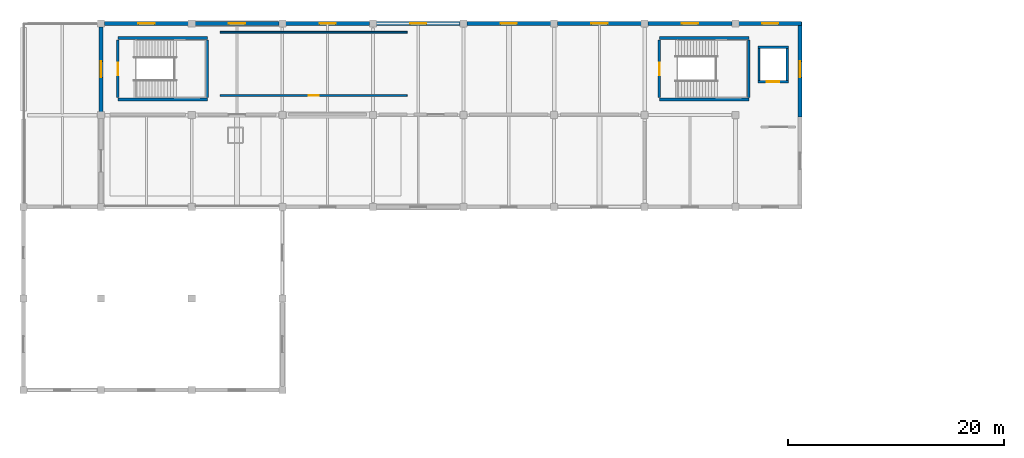
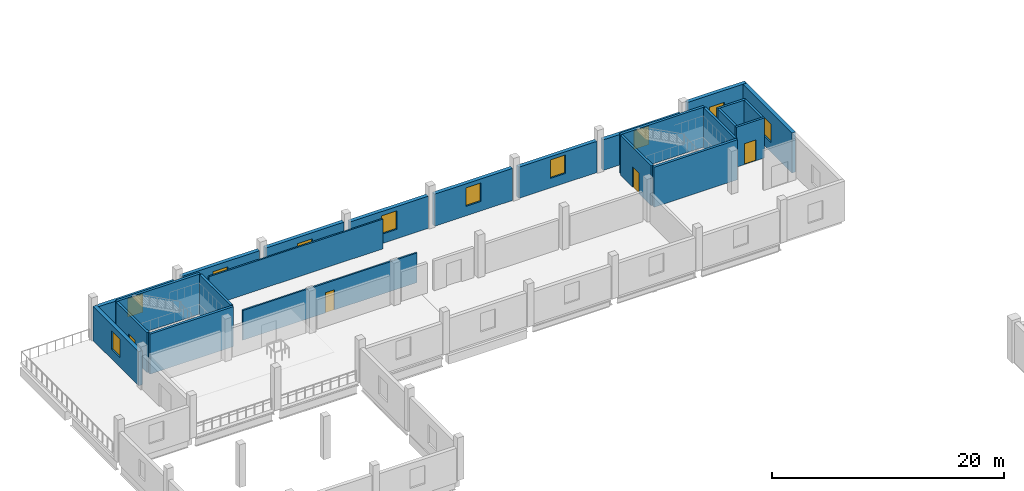
# One storey, part 42 of 50: 24 walls, 10 windows, 4 doors, 14 openings.
"""IFC4 building model written with IfcOpenShell, lengths in metres."""

from ifc_helpers import new_model, si_unit, direction, frame, frame_2d, origin, place, context, subcontext, project, spatial, rectangle, extrude, material, layer, layer_set, type_object, element, fill, save


model = new_model("IFC4")

# Units and contexts
model_context = context("Model", 3, precision=1e-05, world=origin(), true_north=direction((0.0, 1.0)))
body_context = subcontext(model_context, "Body", "Model", "MODEL_VIEW")
ifc_project = project(units=[si_unit("LENGTHUNIT", "METRE"), si_unit("AREAUNIT", "SQUARE_METRE"), si_unit("VOLUMEUNIT", "CUBIC_METRE"), si_unit("PLANEANGLEUNIT", "RADIAN"), si_unit("MASSUNIT", "GRAM", prefix="KILO")], contexts=[model_context])

# Site, building, storey
site_placement = place(None, origin())
site = spatial("IfcSite", under=ifc_project, at=site_placement, CompositionType="ELEMENT")
building_placement = place(site_placement, origin())
building = spatial("IfcBuilding", under=site, at=building_placement, Name="Solvento Point Concert Hall", CompositionType="ELEMENT")
storey_placement = place(building_placement, frame((0.0, 0.0, 15.0)))
storey = spatial("IfcBuildingStorey", under=building, at=storey_placement, Name="L03", CompositionType="ELEMENT", Elevation=15.0)

# Wall
ifc_material_1 = material(Name="Acoustic Double-Stud Gypsum Partition")
ifc_layer_1 = layer(ifc_material_1, 0.159912109375)
ifc_layer_set_1 = layer_set([ifc_layer_1], Name="Acoustic Double-Stud Gypsum Partition")
wall_type_1 = type_object("IfcWallType", Name="AcousticPartition_160", PredefinedType="PARTITIONING", material=ifc_layer_set_1)
wall_1_placement = place(storey_placement, frame((18.219970703125, 135.179931640625, 0.0), z_axis=(0.0, 0.0, 1.0), x_axis=(1.0, 0.0, 0.0)))
element("IfcWall", 1, at=wall_1_placement, inside=storey, type_object=wall_type_1, Name="Interior acoustic partition PW-97 L03", PredefinedType="PARTITIONING", context=body_context, shape_type="SweptSolid", body=[
    extrude(rectangle(XDim=17.360107421875, YDim=0.159912109375, at=frame_2d((8.68017578125, 0.0))), origin(), (0.0, 0.0, 1.0), 3.1298828125),
])

# Wall, opening, door
wall_2_placement = place(storey_placement, frame((35.580078125, 129.320068359375, 0.0), z_axis=(0.0, 0.0, 1.0), x_axis=(-1.0, 0.0, 0.0)))
wall_2 = element("IfcWall", 2, at=wall_2_placement, inside=storey, type_object=wall_type_1, Name="Interior acoustic partition PW-97 L03", PredefinedType="PARTITIONING", context=body_context, shape_type="SweptSolid", body=[
    extrude(rectangle(XDim=17.360107421875, YDim=0.159912109375, at=frame_2d((8.68017578125, 0.0))), origin(), (0.0, 0.0, 1.0), 3.1298828125),
])
opening_1_placement = place(wall_2_placement, frame((8.219970703125, 0.0, 0.0)))
opening_1 = element("IfcOpeningElement", 3, at=opening_1_placement, cuts=wall_2, Name="Opening DR-46", PredefinedType="OPENING", context=body_context, shape_type="SweptSolid", body=[
    extrude(rectangle(XDim=0.919921875, YDim=2.1201171875, at=frame_2d((0.4599609375, 1.06005859375))), frame((0.0, 0.08984375, 0.0), z_axis=(0.0, -1.0, 0.0), x_axis=(1.0, 0.0, 0.0)), (0.0, 0.0, 1.0), 0.179931640625),
])
ifc_material_2 = material(Name="Brazilian Hardwood Acoustic Door", Category="wood")
door_type_1 = type_object("IfcDoorType", Name="IntDoor_AccessibleWC", OperationType="NOTDEFINED", PredefinedType="DOOR", material=ifc_material_2)
door_1_placement = place(opening_1_placement, origin())
door_1 = element("IfcDoor", 4, at=door_1_placement, inside=storey, type_object=door_type_1, Name="Interior door DR-46 L03", OperationType="SINGLE_SWING_RIGHT", OverallHeight=2.1201171875, OverallWidth=0.919921875, PredefinedType="DOOR", context=body_context, shape_type="SweptSolid", body=[
    extrude(rectangle(XDim=0.919921875, YDim=2.1201171875, at=frame_2d((0.4599609375, 1.06005859375))), frame((0.0, 0.02490234375, 0.0), z_axis=(0.0, -1.0, 0.0), x_axis=(1.0, 0.0, 0.0)), (0.0, 0.0, 1.0), 0.050048828125),
])
fill(opening_1, door_1)

# Walls
ifc_material_3 = material(Name="Concrete C40/50", Category="concrete")
ifc_layer_2 = layer(ifc_material_3, 0.300048828125)
ifc_layer_set_2 = layer_set([ifc_layer_2], Name="Concrete C40/50")
wall_type_2 = type_object("IfcWallType", Name="CoreShearWall_300", PredefinedType="SHEAR", material=ifc_layer_set_2)
for number, where, z_axis, x_axis, name in (
    (5, (67.25, 128.949951171875, 0.0), (0.0, 0.0, 1.0), (-1.0, 0.0, 0.0), "Stair core shear wall W-SH1 ST-04 L03"),
    (6, (58.949951171875, 134.64990234375, 0.0), (0.0, 0.0, 1.0), (1.0, 0.0, 0.0), "Stair core shear wall W-SH1 ST-04 L03"),
):
    element("IfcWall", number, at=place(storey_placement, frame(where, z_axis=z_axis, x_axis=x_axis)), inside=storey, type_object=wall_type_2, Name=name, PredefinedType="SHEAR", context=body_context, shape_type="SweptSolid", body=[
        extrude(rectangle(XDim=8.300048828125, YDim=0.25, at=frame_2d((4.14990234375, 0.0))), origin(), (0.0, 0.0, 1.0), 4.2099609375),
    ])

# Wall, opening, door
wall_3_placement = place(storey_placement, frame((58.949951171875, 129.14990234375, 0.0), z_axis=(0.0, 0.0, 1.0), x_axis=(0.0, 1.0, 0.0)))
wall_3 = element("IfcWall", 7, at=wall_3_placement, inside=storey, type_object=wall_type_2, Name="Stair core shear wall W-SH1 ST-04 L03", PredefinedType="SHEAR", context=body_context, shape_type="SweptSolid", body=[
    extrude(rectangle(XDim=5.300048828125, YDim=0.25, at=frame_2d((2.64990234375, 0.0))), origin(), (0.0, 0.0, 1.0), 4.2099609375),
])
opening_2_placement = place(wall_3_placement, frame((2.074951171875, 0.0, 0.0)))
opening_2 = element("IfcOpeningElement", 8, at=opening_2_placement, cuts=wall_3, Name="Opening D-ST1", PredefinedType="OPENING", context=body_context, shape_type="SweptSolid", body=[
    extrude(rectangle(XDim=1.14990234375, YDim=2.179931640625, at=frame_2d((0.574951171875, 1.08984375))), frame((0.0, 0.135009765625, 0.0), z_axis=(0.0, -1.0, 0.0), x_axis=(1.0, 0.0, 0.0)), (0.0, 0.0, 1.0), 0.27001953125),
])
ifc_material_4 = material(Name="Hollow Metal Acoustic Fire Door")
door_type_2 = type_object("IfcDoorType", Name="StairFireDoor_1150", OperationType="NOTDEFINED", PredefinedType="DOOR", material=ifc_material_4)
door_2_placement = place(opening_2_placement, origin())
door_2 = element("IfcDoor", 9, at=door_2_placement, inside=storey, type_object=door_type_2, Name="Protected exit stair door ST-04 L03", OperationType="SINGLE_SWING_LEFT", OverallHeight=2.179931640625, OverallWidth=1.14990234375, PredefinedType="DOOR", context=body_context, shape_type="SweptSolid", body=[
    extrude(rectangle(XDim=1.14990234375, YDim=2.179931640625, at=frame_2d((0.574951171875, 1.08984375))), frame((0.0, 0.02490234375, 0.0), z_axis=(0.0, -1.0, 0.0), x_axis=(1.0, 0.0, 0.0)), (0.0, 0.0, 1.0), 0.050048828125),
])
fill(opening_2, door_2)

# Walls
wall_4_placement = place(storey_placement, frame((67.25, 134.449951171875, 0.0), z_axis=(0.0, 0.0, 1.0), x_axis=(0.0, -1.0, 0.0)))
element("IfcWall", 10, at=wall_4_placement, inside=storey, type_object=wall_type_2, Name="Stair core shear wall W-SH1 ST-04 L03", PredefinedType="SHEAR", context=body_context, shape_type="SweptSolid", body=[
    extrude(rectangle(XDim=5.300048828125, YDim=0.25, at=frame_2d((2.64990234375, 0.0))), origin(), (0.0, 0.0, 1.0), 4.2099609375),
])
for number, where, z_axis, x_axis, name in (
    (11, (17.050048828125, 128.949951171875, 0.0), (0.0, 0.0, 1.0), (-1.0, 0.0, 0.0), "Stair core shear wall W-SH1 ST-05 L03"),
    (12, (8.75, 134.64990234375, 0.0), (0.0, 0.0, 1.0), (1.0, 0.0, 0.0), "Stair core shear wall W-SH1 ST-05 L03"),
):
    element("IfcWall", number, at=place(storey_placement, frame(where, z_axis=z_axis, x_axis=x_axis)), inside=storey, type_object=wall_type_2, Name=name, PredefinedType="SHEAR", context=body_context, shape_type="SweptSolid", body=[
        extrude(rectangle(XDim=8.300048828125, YDim=0.25, at=frame_2d((4.14990234375, 0.0))), origin(), (0.0, 0.0, 1.0), 4.2099609375),
    ])

# Wall, opening, door
wall_5_placement = place(storey_placement, frame((8.75, 129.14990234375, 0.0), z_axis=(0.0, 0.0, 1.0), x_axis=(0.0, 1.0, 0.0)))
wall_5 = element("IfcWall", 13, at=wall_5_placement, inside=storey, type_object=wall_type_2, Name="Stair core shear wall W-SH1 ST-05 L03", PredefinedType="SHEAR", context=body_context, shape_type="SweptSolid", body=[
    extrude(rectangle(XDim=5.300048828125, YDim=0.25, at=frame_2d((2.64990234375, 0.0))), origin(), (0.0, 0.0, 1.0), 4.2099609375),
])
opening_3_placement = place(wall_5_placement, frame((2.074951171875, 0.0, 0.0)))
opening_3 = element("IfcOpeningElement", 14, at=opening_3_placement, cuts=wall_5, Name="Opening D-ST1", PredefinedType="OPENING", context=body_context, shape_type="SweptSolid", body=[
    extrude(rectangle(XDim=1.14990234375, YDim=2.179931640625, at=frame_2d((0.574951171875, 1.08984375))), frame((0.0, 0.135009765625, 0.0), z_axis=(0.0, -1.0, 0.0), x_axis=(1.0, 0.0, 0.0)), (0.0, 0.0, 1.0), 0.27001953125),
])
door_3_placement = place(opening_3_placement, origin())
door_3 = element("IfcDoor", 15, at=door_3_placement, inside=storey, type_object=door_type_2, Name="Protected exit stair door ST-05 L03", OperationType="SINGLE_SWING_RIGHT", OverallHeight=2.179931640625, OverallWidth=1.14990234375, PredefinedType="DOOR", context=body_context, shape_type="SweptSolid", body=[
    extrude(rectangle(XDim=1.14990234375, YDim=2.179931640625, at=frame_2d((0.574951171875, 1.08984375))), frame((0.0, 0.02490234375, 0.0), z_axis=(0.0, -1.0, 0.0), x_axis=(1.0, 0.0, 0.0)), (0.0, 0.0, 1.0), 0.050048828125),
])
fill(opening_3, door_3)

# Wall
wall_6_placement = place(storey_placement, frame((17.050048828125, 134.449951171875, 0.0), z_axis=(0.0, 0.0, 1.0), x_axis=(0.0, -1.0, 0.0)))
element("IfcWall", 16, at=wall_6_placement, inside=storey, type_object=wall_type_2, Name="Stair core shear wall W-SH1 ST-05 L03", PredefinedType="SHEAR", context=body_context, shape_type="SweptSolid", body=[
    extrude(rectangle(XDim=5.300048828125, YDim=0.25, at=frame_2d((2.64990234375, 0.0))), origin(), (0.0, 0.0, 1.0), 4.2099609375),
])

# Wall, opening, door
wall_7_placement = place(storey_placement, frame((68.090087890625, 130.60009765625, 0.0), z_axis=(0.0, 0.0, 1.0), x_axis=(1.0, 0.0, 0.0)))
wall_7 = element("IfcWall", 17, at=wall_7_placement, inside=storey, type_object=wall_type_2, Name="Elevator shaft shear wall W-SH1 LP-03 L03", PredefinedType="SHEAR", context=body_context, shape_type="SweptSolid", body=[
    extrude(rectangle(XDim=2.81982421875, YDim=0.219970703125, at=frame_2d((1.409912109375, 0.0))), origin(), (0.0, 0.0, 1.0), 4.2099609375),
])
opening_4_placement = place(wall_7_placement, frame((0.8349609375, 0.0, 0.0)))
opening_4 = element("IfcOpeningElement", 18, at=opening_4_placement, cuts=wall_7, Name="Opening LD-02", PredefinedType="OPENING", context=body_context, shape_type="SweptSolid", body=[
    extrude(rectangle(XDim=1.14990234375, YDim=2.199951171875, at=frame_2d((0.574951171875, 1.10009765625))), frame((0.0, 0.119873046875, 0.0), z_axis=(0.0, -1.0, 0.0), x_axis=(1.0, 0.0, 0.0)), (0.0, 0.0, 1.0), 0.239990234375),
])
ifc_material_5 = material(Name="Hollow Metal Acoustic Fire Door")
door_type_3 = type_object("IfcDoorType", Name="LiftLandingDoor_Pass", OperationType="SLIDING_TO_LEFT", PredefinedType="DOOR", material=ifc_material_5)
door_4_placement = place(opening_4_placement, origin())
door_4 = element("IfcDoor", 19, at=door_4_placement, inside=storey, type_object=door_type_3, Name="Elevator landing door LP-03 L03", OperationType="SLIDING_TO_LEFT", OverallHeight=2.199951171875, OverallWidth=1.14990234375, PredefinedType="DOOR", context=body_context, shape_type="SweptSolid", body=[
    extrude(rectangle(XDim=1.14990234375, YDim=2.199951171875, at=frame_2d((0.574951171875, 1.10009765625))), frame((0.0, 0.02490234375, 0.0), z_axis=(0.0, -1.0, 0.0), x_axis=(1.0, 0.0, 0.0)), (0.0, 0.0, 1.0), 0.050048828125),
])
fill(opening_4, door_4)

# Walls
wall_8_placement = place(storey_placement, frame((68.090087890625, 133.800048828125, 0.0), z_axis=(0.0, 0.0, 1.0), x_axis=(1.0, 0.0, 0.0)))
element("IfcWall", 20, at=wall_8_placement, inside=storey, type_object=wall_type_2, Name="Elevator shaft shear wall W-SH1 LP-03 L03", PredefinedType="SHEAR", context=body_context, shape_type="SweptSolid", body=[
    extrude(rectangle(XDim=2.81982421875, YDim=0.219970703125, at=frame_2d((1.409912109375, 0.0))), origin(), (0.0, 0.0, 1.0), 4.2099609375),
])
for number, where, z_axis, x_axis, name in (
    (21, (68.199951171875, 130.7099609375, 0.0), (0.0, 0.0, 1.0), (0.0, 1.0, 0.0), "Elevator shaft shear wall W-SH1 LP-03 L03"),
    (22, (70.800048828125, 130.7099609375, 0.0), (0.0, 0.0, 1.0), (0.0, 1.0, 0.0), "Elevator shaft shear wall W-SH1 LP-03 L03"),
):
    element("IfcWall", number, at=place(storey_placement, frame(where, z_axis=z_axis, x_axis=x_axis)), inside=storey, type_object=wall_type_2, Name=name, PredefinedType="SHEAR", context=body_context, shape_type="SweptSolid", body=[
        extrude(rectangle(XDim=2.97998046875, YDim=0.219970703125, at=frame_2d((1.489990234375, 0.0))), origin(), (0.0, 0.0, 1.0), 4.2099609375),
    ])

# Wall, opening, window
ifc_material_6 = material(Name="Concrete C40/50", Category="concrete")
ifc_layer_3 = layer(ifc_material_6, 0.3701171875)
ifc_layer_set_3 = layer_set([ifc_layer_3], Name="Concrete C40/50")
wall_type_3 = type_object("IfcWallType", Name="ExtWall_V4_Reh_370", PredefinedType="SOLIDWALL", material=ifc_layer_set_3)
wall_9_placement = place(storey_placement, frame((7.199951171875, 127.804931640625, 0.0), z_axis=(0.0, 0.0, 1.0), x_axis=(0.0, 1.0, 0.0)))
wall_9 = element("IfcWall", 23, at=wall_9_placement, inside=storey, type_object=wall_type_3, Name="Exterior architectural concrete wall EW-85 L03", PredefinedType="SOLIDWALL", context=body_context, shape_type="SweptSolid", body=[
    extrude(rectangle(XDim=7.89013671875, YDim=0.3701171875, at=frame_2d((3.945068359375, 0.0))), origin(), (0.0, 0.0, 1.0), 3.594970703125),
])
opening_5_placement = place(wall_9_placement, frame((3.195068359375, 0.0, 1.0)))
opening_5 = element("IfcOpeningElement", 24, at=opening_5_placement, cuts=wall_9, Name="Opening WN-71", PredefinedType="OPENING", context=body_context, shape_type="SweptSolid", body=[
    extrude(rectangle(XDim=1.5, YDim=1.949951171875, at=frame_2d((0.75, 0.97509765625))), frame((0.0, 0.195068359375, 0.0), z_axis=(0.0, -1.0, 0.0), x_axis=(1.0, 0.0, 0.0)), (0.0, 0.0, 1.0), 0.39013671875),
])
ifc_material_7 = material(Name="Hurricane Laminated Low-E Glass", Category="glass")
window_type = type_object("IfcWindowType", Name="Win_V4_Recording_L03", PartitioningType="SINGLE_PANEL", PredefinedType="WINDOW", material=ifc_material_7)
window_1_placement = place(opening_5_placement, origin())
window_1 = element("IfcWindow", 25, at=window_1_placement, inside=storey, type_object=window_type, Name="Impact acoustic window WN-71", OverallHeight=1.949951171875, OverallWidth=1.5, PartitioningType="SINGLE_PANEL", PredefinedType="WINDOW", context=body_context, shape_type="SweptSolid", body=[
    extrude(rectangle(XDim=1.5, YDim=1.949951171875, at=frame_2d((0.75, 0.97509765625))), frame((0.0, 0.030029296875, 0.0), z_axis=(0.0, -1.0, 0.0), x_axis=(1.0, 0.0, 0.0)), (0.0, 0.0, 1.0), 0.06005859375),
])
fill(opening_5, window_1)

wall_10_placement = place(storey_placement, frame((7.5048828125, 136.0, 0.0), z_axis=(0.0, 0.0, 1.0), x_axis=(1.0, 0.0, 0.0)))
wall_10 = element("IfcWall", 26, at=wall_10_placement, inside=storey, type_object=wall_type_3, Name="Exterior architectural concrete wall EW-85 L03", PredefinedType="SOLIDWALL", context=body_context, shape_type="SweptSolid", body=[
    extrude(rectangle(XDim=7.7900390625, YDim=0.3701171875, at=frame_2d((3.89501953125, 0.0))), origin(), (0.0, 0.0, 1.0), 3.243896484375),
])
opening_6_placement = place(wall_10_placement, frame((3.14501953125, 0.0, 1.0)))
opening_6 = element("IfcOpeningElement", 27, at=opening_6_placement, cuts=wall_10, Name="Opening WN-71", PredefinedType="OPENING", context=body_context, shape_type="SweptSolid", body=[
    extrude(rectangle(XDim=1.5, YDim=1.949951171875, at=frame_2d((0.75, 0.97509765625))), frame((0.0, 0.195068359375, 0.0), z_axis=(0.0, -1.0, 0.0), x_axis=(1.0, 0.0, 0.0)), (0.0, 0.0, 1.0), 0.39013671875),
])
window_2_placement = place(opening_6_placement, origin())
window_2 = element("IfcWindow", 28, at=window_2_placement, inside=storey, type_object=window_type, Name="Impact acoustic window WN-71", OverallHeight=1.949951171875, OverallWidth=1.5, PartitioningType="SINGLE_PANEL", PredefinedType="WINDOW", context=body_context, shape_type="SweptSolid", body=[
    extrude(rectangle(XDim=1.5, YDim=1.949951171875, at=frame_2d((0.75, 0.97509765625))), frame((0.0, 0.030029296875, 0.0), z_axis=(0.0, -1.0, 0.0), x_axis=(1.0, 0.0, 0.0)), (0.0, 0.0, 1.0), 0.06005859375),
])
fill(opening_6, window_2)

wall_11_placement = place(storey_placement, frame((15.905029296875, 136.0, 0.0), z_axis=(0.0, 0.0, 1.0), x_axis=(1.0, 0.0, 0.0)))
wall_11 = element("IfcWall", 29, at=wall_11_placement, inside=storey, type_object=wall_type_3, Name="Exterior architectural concrete wall EW-85 L03", PredefinedType="SOLIDWALL", context=body_context, shape_type="SweptSolid", body=[
    extrude(rectangle(XDim=7.7900390625, YDim=0.3701171875, at=frame_2d((3.89501953125, 0.0))), origin(), (0.0, 0.0, 1.0), 3.535888671875),
])
opening_7_placement = place(wall_11_placement, frame((3.14501953125, 0.0, 1.0)))
opening_7 = element("IfcOpeningElement", 30, at=opening_7_placement, cuts=wall_11, Name="Opening WN-71", PredefinedType="OPENING", context=body_context, shape_type="SweptSolid", body=[
    extrude(rectangle(XDim=1.5, YDim=1.949951171875, at=frame_2d((0.75, 0.97509765625))), frame((0.0, 0.195068359375, 0.0), z_axis=(0.0, -1.0, 0.0), x_axis=(1.0, 0.0, 0.0)), (0.0, 0.0, 1.0), 0.39013671875),
])
window_3_placement = place(opening_7_placement, origin())
window_3 = element("IfcWindow", 31, at=window_3_placement, inside=storey, type_object=window_type, Name="Impact acoustic window WN-71", OverallHeight=1.949951171875, OverallWidth=1.5, PartitioningType="SINGLE_PANEL", PredefinedType="WINDOW", context=body_context, shape_type="SweptSolid", body=[
    extrude(rectangle(XDim=1.5, YDim=1.949951171875, at=frame_2d((0.75, 0.97509765625))), frame((0.0, 0.030029296875, 0.0), z_axis=(0.0, -1.0, 0.0), x_axis=(1.0, 0.0, 0.0)), (0.0, 0.0, 1.0), 0.06005859375),
])
fill(opening_7, window_3)

wall_12_placement = place(storey_placement, frame((24.304931640625, 136.0, 0.0), z_axis=(0.0, 0.0, 1.0), x_axis=(1.0, 0.0, 0.0)))
wall_12 = element("IfcWall", 32, at=wall_12_placement, inside=storey, type_object=wall_type_3, Name="Exterior architectural concrete wall EW-85 L03", PredefinedType="SOLIDWALL", context=body_context, shape_type="SweptSolid", body=[
    extrude(rectangle(XDim=7.7900390625, YDim=0.3701171875, at=frame_2d((3.89501953125, 0.0))), origin(), (0.0, 0.0, 1.0), 3.594970703125),
])
opening_8_placement = place(wall_12_placement, frame((3.14501953125, 0.0, 1.0)))
opening_8 = element("IfcOpeningElement", 33, at=opening_8_placement, cuts=wall_12, Name="Opening WN-71", PredefinedType="OPENING", context=body_context, shape_type="SweptSolid", body=[
    extrude(rectangle(XDim=1.5, YDim=1.949951171875, at=frame_2d((0.75, 0.97509765625))), frame((0.0, 0.195068359375, 0.0), z_axis=(0.0, -1.0, 0.0), x_axis=(1.0, 0.0, 0.0)), (0.0, 0.0, 1.0), 0.39013671875),
])
window_4_placement = place(opening_8_placement, origin())
window_4 = element("IfcWindow", 34, at=window_4_placement, inside=storey, type_object=window_type, Name="Impact acoustic window WN-71", OverallHeight=1.949951171875, OverallWidth=1.5, PartitioningType="SINGLE_PANEL", PredefinedType="WINDOW", context=body_context, shape_type="SweptSolid", body=[
    extrude(rectangle(XDim=1.5, YDim=1.949951171875, at=frame_2d((0.75, 0.97509765625))), frame((0.0, 0.030029296875, 0.0), z_axis=(0.0, -1.0, 0.0), x_axis=(1.0, 0.0, 0.0)), (0.0, 0.0, 1.0), 0.06005859375),
])
fill(opening_8, window_4)

wall_13_placement = place(storey_placement, frame((32.705078125, 136.0, 0.0), z_axis=(0.0, 0.0, 1.0), x_axis=(1.0, 0.0, 0.0)))
wall_13 = element("IfcWall", 35, at=wall_13_placement, inside=storey, type_object=wall_type_3, Name="Exterior architectural concrete wall EW-85 L03", PredefinedType="SOLIDWALL", context=body_context, shape_type="SweptSolid", body=[
    extrude(rectangle(XDim=7.7900390625, YDim=0.3701171875, at=frame_2d((3.89501953125, 0.0))), origin(), (0.0, 0.0, 1.0), 3.39404296875),
])
opening_9_placement = place(wall_13_placement, frame((3.14501953125, 0.0, 1.0)))
opening_9 = element("IfcOpeningElement", 36, at=opening_9_placement, cuts=wall_13, Name="Opening WN-71", PredefinedType="OPENING", context=body_context, shape_type="SweptSolid", body=[
    extrude(rectangle(XDim=1.5, YDim=1.949951171875, at=frame_2d((0.75, 0.97509765625))), frame((0.0, 0.195068359375, 0.0), z_axis=(0.0, -1.0, 0.0), x_axis=(1.0, 0.0, 0.0)), (0.0, 0.0, 1.0), 0.39013671875),
])
window_5_placement = place(opening_9_placement, origin())
window_5 = element("IfcWindow", 37, at=window_5_placement, inside=storey, type_object=window_type, Name="Impact acoustic window WN-71", OverallHeight=1.949951171875, OverallWidth=1.5, PartitioningType="SINGLE_PANEL", PredefinedType="WINDOW", context=body_context, shape_type="SweptSolid", body=[
    extrude(rectangle(XDim=1.5, YDim=1.949951171875, at=frame_2d((0.75, 0.97509765625))), frame((0.0, 0.030029296875, 0.0), z_axis=(0.0, -1.0, 0.0), x_axis=(1.0, 0.0, 0.0)), (0.0, 0.0, 1.0), 0.06005859375),
])
fill(opening_9, window_5)

wall_14_placement = place(storey_placement, frame((41.10498046875, 136.0, 0.0), z_axis=(0.0, 0.0, 1.0), x_axis=(1.0, 0.0, 0.0)))
wall_14 = element("IfcWall", 38, at=wall_14_placement, inside=storey, type_object=wall_type_3, Name="Exterior architectural concrete wall EW-85 L03", PredefinedType="SOLIDWALL", context=body_context, shape_type="SweptSolid", body=[
    extrude(rectangle(XDim=7.7900390625, YDim=0.3701171875, at=frame_2d((3.89501953125, 0.0))), origin(), (0.0, 0.0, 1.0), 3.3740234375),
])
opening_10_placement = place(wall_14_placement, frame((3.14501953125, 0.0, 1.0)))
opening_10 = element("IfcOpeningElement", 39, at=opening_10_placement, cuts=wall_14, Name="Opening WN-71", PredefinedType="OPENING", context=body_context, shape_type="SweptSolid", body=[
    extrude(rectangle(XDim=1.5, YDim=1.949951171875, at=frame_2d((0.75, 0.97509765625))), frame((0.0, 0.195068359375, 0.0), z_axis=(0.0, -1.0, 0.0), x_axis=(1.0, 0.0, 0.0)), (0.0, 0.0, 1.0), 0.39013671875),
])
window_6_placement = place(opening_10_placement, origin())
window_6 = element("IfcWindow", 40, at=window_6_placement, inside=storey, type_object=window_type, Name="Impact acoustic window WN-71", OverallHeight=1.949951171875, OverallWidth=1.5, PartitioningType="SINGLE_PANEL", PredefinedType="WINDOW", context=body_context, shape_type="SweptSolid", body=[
    extrude(rectangle(XDim=1.5, YDim=1.949951171875, at=frame_2d((0.75, 0.97509765625))), frame((0.0, 0.030029296875, 0.0), z_axis=(0.0, -1.0, 0.0), x_axis=(1.0, 0.0, 0.0)), (0.0, 0.0, 1.0), 0.06005859375),
])
fill(opening_10, window_6)

wall_15_placement = place(storey_placement, frame((49.5048828125, 136.0, 0.0), z_axis=(0.0, 0.0, 1.0), x_axis=(1.0, 0.0, 0.0)))
wall_15 = element("IfcWall", 41, at=wall_15_placement, inside=storey, type_object=wall_type_3, Name="Exterior architectural concrete wall EW-85 L03", PredefinedType="SOLIDWALL", context=body_context, shape_type="SweptSolid", body=[
    extrude(rectangle(XDim=7.7900390625, YDim=0.3701171875, at=frame_2d((3.89501953125, 0.0))), origin(), (0.0, 0.0, 1.0), 3.284912109375),
])
opening_11_placement = place(wall_15_placement, frame((3.14501953125, 0.0, 1.0)))
opening_11 = element("IfcOpeningElement", 42, at=opening_11_placement, cuts=wall_15, Name="Opening WN-71", PredefinedType="OPENING", context=body_context, shape_type="SweptSolid", body=[
    extrude(rectangle(XDim=1.5, YDim=1.949951171875, at=frame_2d((0.75, 0.97509765625))), frame((0.0, 0.195068359375, 0.0), z_axis=(0.0, -1.0, 0.0), x_axis=(1.0, 0.0, 0.0)), (0.0, 0.0, 1.0), 0.39013671875),
])
window_7_placement = place(opening_11_placement, origin())
window_7 = element("IfcWindow", 43, at=window_7_placement, inside=storey, type_object=window_type, Name="Impact acoustic window WN-71", OverallHeight=1.949951171875, OverallWidth=1.5, PartitioningType="SINGLE_PANEL", PredefinedType="WINDOW", context=body_context, shape_type="SweptSolid", body=[
    extrude(rectangle(XDim=1.5, YDim=1.949951171875, at=frame_2d((0.75, 0.97509765625))), frame((0.0, 0.030029296875, 0.0), z_axis=(0.0, -1.0, 0.0), x_axis=(1.0, 0.0, 0.0)), (0.0, 0.0, 1.0), 0.06005859375),
])
fill(opening_11, window_7)

wall_16_placement = place(storey_placement, frame((57.905029296875, 136.0, 0.0), z_axis=(0.0, 0.0, 1.0), x_axis=(1.0, 0.0, 0.0)))
wall_16 = element("IfcWall", 44, at=wall_16_placement, inside=storey, type_object=wall_type_3, Name="Exterior architectural concrete wall EW-85 L03", PredefinedType="SOLIDWALL", context=body_context, shape_type="SweptSolid", body=[
    extrude(rectangle(XDim=7.7900390625, YDim=0.3701171875, at=frame_2d((3.89501953125, 0.0))), origin(), (0.0, 0.0, 1.0), 3.217041015625),
])
opening_12_placement = place(wall_16_placement, frame((3.14501953125, 0.0, 1.0)))
opening_12 = element("IfcOpeningElement", 45, at=opening_12_placement, cuts=wall_16, Name="Opening WN-71", PredefinedType="OPENING", context=body_context, shape_type="SweptSolid", body=[
    extrude(rectangle(XDim=1.5, YDim=1.949951171875, at=frame_2d((0.75, 0.97509765625))), frame((0.0, 0.195068359375, 0.0), z_axis=(0.0, -1.0, 0.0), x_axis=(1.0, 0.0, 0.0)), (0.0, 0.0, 1.0), 0.39013671875),
])
window_8_placement = place(opening_12_placement, origin())
window_8 = element("IfcWindow", 46, at=window_8_placement, inside=storey, type_object=window_type, Name="Impact acoustic window WN-71", OverallHeight=1.949951171875, OverallWidth=1.5, PartitioningType="SINGLE_PANEL", PredefinedType="WINDOW", context=body_context, shape_type="SweptSolid", body=[
    extrude(rectangle(XDim=1.5, YDim=1.949951171875, at=frame_2d((0.75, 0.97509765625))), frame((0.0, 0.030029296875, 0.0), z_axis=(0.0, -1.0, 0.0), x_axis=(1.0, 0.0, 0.0)), (0.0, 0.0, 1.0), 0.06005859375),
])
fill(opening_12, window_8)

wall_17_placement = place(storey_placement, frame((66.304931640625, 136.0, 0.0), z_axis=(0.0, 0.0, 1.0), x_axis=(1.0, 0.0, 0.0)))
wall_17 = element("IfcWall", 47, at=wall_17_placement, inside=storey, type_object=wall_type_3, Name="Exterior architectural concrete wall EW-85 L03", PredefinedType="SOLIDWALL", context=body_context, shape_type="SweptSolid", body=[
    extrude(rectangle(XDim=5.85498046875, YDim=0.3701171875, at=frame_2d((2.927490234375, 0.0))), origin(), (0.0, 0.0, 1.0), 4.2099609375),
])
opening_13_placement = place(wall_17_placement, frame((2.177490234375, 0.0, 1.0)))
opening_13 = element("IfcOpeningElement", 48, at=opening_13_placement, cuts=wall_17, Name="Opening WN-71", PredefinedType="OPENING", context=body_context, shape_type="SweptSolid", body=[
    extrude(rectangle(XDim=1.5, YDim=1.949951171875, at=frame_2d((0.75, 0.97509765625))), frame((0.0, 0.195068359375, 0.0), z_axis=(0.0, -1.0, 0.0), x_axis=(1.0, 0.0, 0.0)), (0.0, 0.0, 1.0), 0.39013671875),
])
window_9_placement = place(opening_13_placement, origin())
window_9 = element("IfcWindow", 49, at=window_9_placement, inside=storey, type_object=window_type, Name="Impact acoustic window WN-71", OverallHeight=1.949951171875, OverallWidth=1.5, PartitioningType="SINGLE_PANEL", PredefinedType="WINDOW", context=body_context, shape_type="SweptSolid", body=[
    extrude(rectangle(XDim=1.5, YDim=1.949951171875, at=frame_2d((0.75, 0.97509765625))), frame((0.0, 0.030029296875, 0.0), z_axis=(0.0, -1.0, 0.0), x_axis=(1.0, 0.0, 0.0)), (0.0, 0.0, 1.0), 0.06005859375),
])
fill(opening_13, window_9)

wall_18_placement = place(storey_placement, frame((72.0, 136.159912109375, 0.0), z_axis=(0.0, 0.0, 1.0), x_axis=(0.0, -1.0, 0.0)))
wall_18 = element("IfcWall", 50, at=wall_18_placement, inside=storey, type_object=wall_type_3, Name="Exterior architectural concrete wall EW-85 L03", PredefinedType="SOLIDWALL", context=body_context, shape_type="SweptSolid", body=[
    extrude(rectangle(XDim=8.81982421875, YDim=0.3701171875, at=frame_2d((4.409912109375, 0.0))), origin(), (0.0, 0.0, 1.0), 4.2099609375),
])
opening_14_placement = place(wall_18_placement, frame((3.659912109375, 0.0, 1.0)))
opening_14 = element("IfcOpeningElement", 51, at=opening_14_placement, cuts=wall_18, Name="Opening WN-71", PredefinedType="OPENING", context=body_context, shape_type="SweptSolid", body=[
    extrude(rectangle(XDim=1.5, YDim=1.949951171875, at=frame_2d((0.75, 0.97509765625))), frame((0.0, 0.195068359375, 0.0), z_axis=(0.0, -1.0, 0.0), x_axis=(1.0, 0.0, 0.0)), (0.0, 0.0, 1.0), 0.39013671875),
])
window_10_placement = place(opening_14_placement, origin())
window_10 = element("IfcWindow", 52, at=window_10_placement, inside=storey, type_object=window_type, Name="Impact acoustic window WN-71", OverallHeight=1.949951171875, OverallWidth=1.5, PartitioningType="SINGLE_PANEL", PredefinedType="WINDOW", context=body_context, shape_type="SweptSolid", body=[
    extrude(rectangle(XDim=1.5, YDim=1.949951171875, at=frame_2d((0.75, 0.97509765625))), frame((0.0, 0.030029296875, 0.0), z_axis=(0.0, -1.0, 0.0), x_axis=(1.0, 0.0, 0.0)), (0.0, 0.0, 1.0), 0.06005859375),
])
fill(opening_14, window_10)

save(model, "model.ifc")
